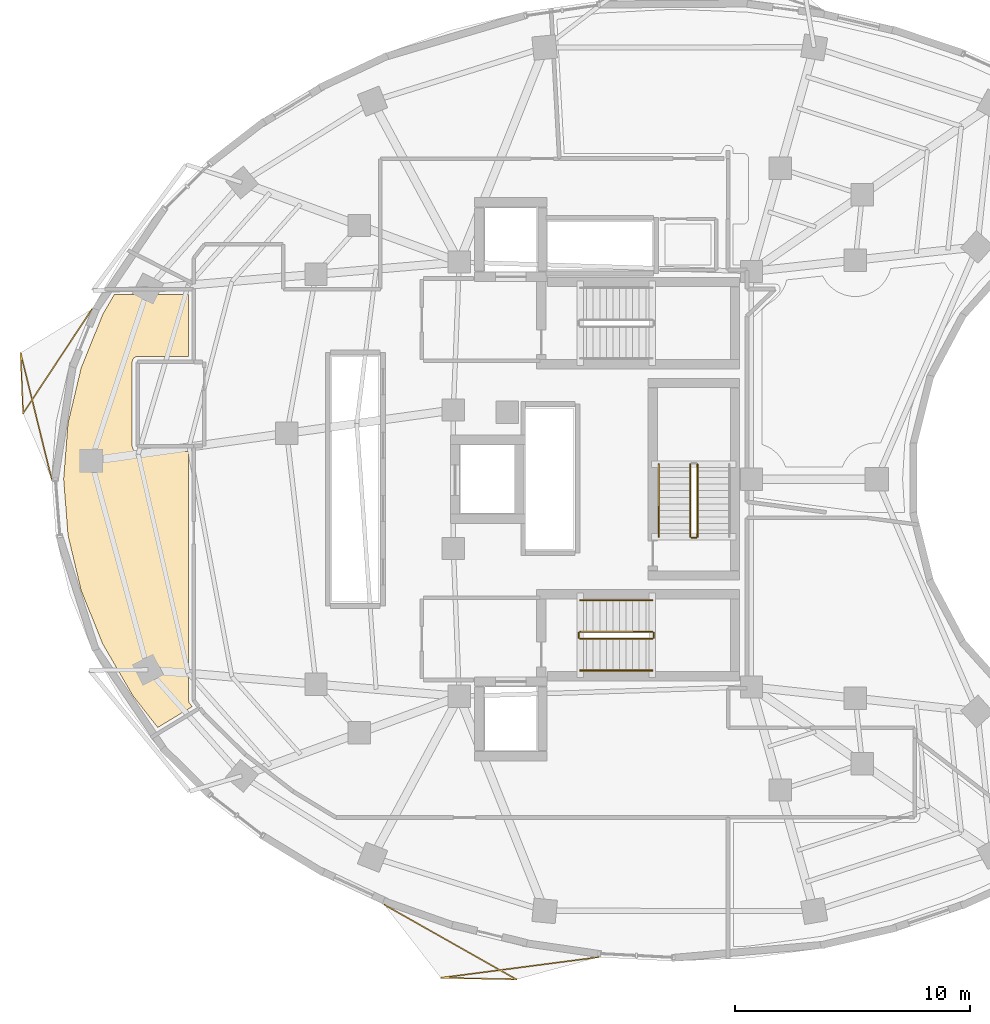
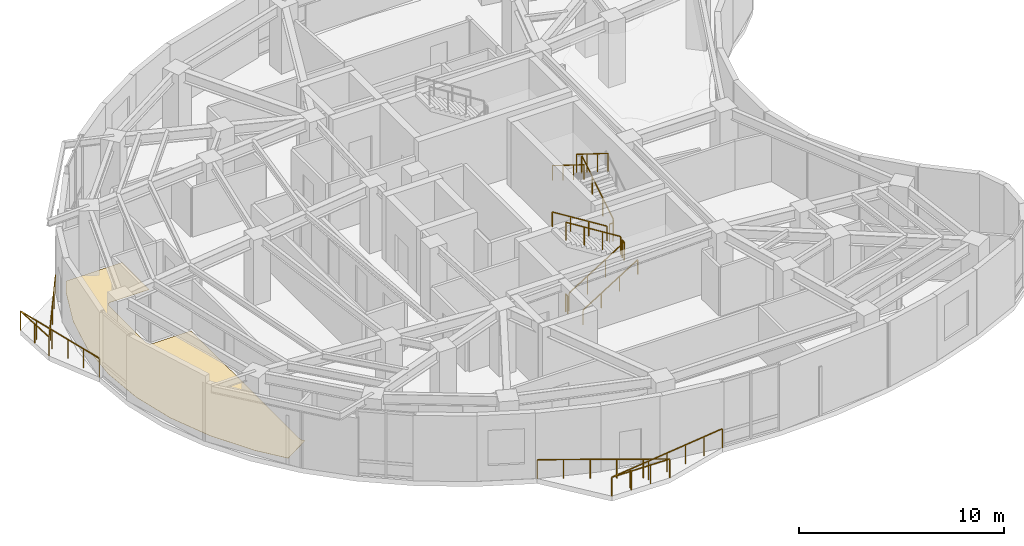
# One storey, part 10 of 12: 12 railings, 1 covering.
"""IFC4 building model written with IfcOpenShell, lengths in metres."""

from ifc_helpers import new_model, si_unit, direction, frame, origin, origin_2d, place, context, subcontext, project, spatial, polyline, rectangle, outline, extrude, material, layer, layer_set, type_object, element, save


model = new_model("IFC4")

# Units and contexts
model_context = context("Model", 3, precision=1e-05, world=origin(), true_north=direction((0.0, 1.0)))
body_context = subcontext(model_context, "Body", "Model", "MODEL_VIEW")
ifc_project = project(units=[si_unit("LENGTHUNIT", "METRE"), si_unit("AREAUNIT", "SQUARE_METRE"), si_unit("VOLUMEUNIT", "CUBIC_METRE"), si_unit("PLANEANGLEUNIT", "RADIAN"), si_unit("MASSUNIT", "GRAM", prefix="KILO")], contexts=[model_context])

# Site, building, storey
site_placement = place(None, origin())
site = spatial("IfcSite", under=ifc_project, at=site_placement, CompositionType="ELEMENT")
building_placement = place(site_placement, origin())
building = spatial("IfcBuilding", under=site, at=building_placement, Name="Korentha Bioscience Tower", CompositionType="ELEMENT")
storey_placement = place(building_placement, frame((0.0, 0.0, 179.39990234375)))
storey = spatial("IfcBuildingStorey", under=building, at=storey_placement, Name="L41", CompositionType="ELEMENT", Elevation=179.39990234375)

# Railings
ifc_material_1 = material(Name="Stainless Steel 304", Category="steel")
railing_type_1 = type_object("IfcRailingType", Name="Brushed Stainless Stair Handrail 900", PredefinedType="HANDRAIL", material=ifc_material_1)
railing_1_placement = place(storey_placement, frame((30.25, 18.85009765625, 0.175048828125)))
element("IfcRailing", 1, at=railing_1_placement, inside=storey, type_object=railing_type_1, Name="L41 ST-2 stair handrail 1", PredefinedType="HANDRAIL", context=body_context, shape_type="SweptSolid", body=[
    extrude(rectangle(XDim=0.048095703125, YDim=0.048095703125, at=origin_2d()), frame((0.0, 0.0, 0.8759765625), z_axis=(0.847998304005, 0.0, 0.529998940003), x_axis=(0.0, 1.0, 0.0)), (0.0, 0.0, 1.0), 3.632080078125),
    extrude(rectangle(XDim=0.0419921875, YDim=0.0419921875, at=origin_2d()), origin(), (0.0, 0.0, 1.0), 0.851806640625),
    extrude(rectangle(XDim=0.0419921875, YDim=0.0419921875, at=origin_2d()), frame((1.026611328125, 0.0, 0.6416015625)), (0.0, 0.0, 1.0), 0.851806640625),
    extrude(rectangle(XDim=0.0419921875, YDim=0.0419921875, at=origin_2d()), frame((2.053466796875, 0.0, 1.283447265625)), (0.0, 0.0, 1.0), 0.851806640625),
    extrude(rectangle(XDim=0.0419921875, YDim=0.0419921875, at=origin_2d()), frame((3.080078125, 0.0, 1.925048828125)), (0.0, 0.0, 1.0), 0.851806640625),
])
railing_2_placement = place(storey_placement, frame((33.330078125, 21.85009765625, 2.275146484375)))
element("IfcRailing", 2, at=railing_2_placement, inside=storey, type_object=railing_type_1, Name="L41 ST-2 stair handrail 2", PredefinedType="HANDRAIL", context=body_context, shape_type="SweptSolid", body=[
    extrude(rectangle(XDim=0.048095703125, YDim=0.048095703125, at=origin_2d()), frame((0.0, 0.0, 0.8759765625), z_axis=(-0.847998304005, 0.0, 0.529998940003), x_axis=(0.0, -1.0, 0.0)), (0.0, 0.0, 1.0), 3.632080078125),
    extrude(rectangle(XDim=0.0419921875, YDim=0.0419921875, at=origin_2d()), origin(), (0.0, 0.0, 1.0), 0.851806640625),
    extrude(rectangle(XDim=0.0419921875, YDim=0.0419921875, at=origin_2d()), frame((-1.026611328125, 0.0, 0.6416015625)), (0.0, 0.0, 1.0), 0.851806640625),
    extrude(rectangle(XDim=0.0419921875, YDim=0.0419921875, at=origin_2d()), frame((-2.053466796875, 0.0, 1.283447265625)), (0.0, 0.0, 1.0), 0.851806640625),
    extrude(rectangle(XDim=0.0419921875, YDim=0.0419921875, at=origin_2d()), frame((-3.080078125, 0.0, 1.925048828125)), (0.0, 0.0, 1.0), 0.851806640625),
])
railing_3_placement = place(storey_placement, frame((33.60009765625, 27.6298828125, 2.275146484375)))
element("IfcRailing", 3, at=railing_3_placement, inside=storey, type_object=railing_type_1, Name="L41 ST-3 stair handrail 2", PredefinedType="HANDRAIL", context=body_context, shape_type="SweptSolid", body=[
    extrude(rectangle(XDim=0.048095703125, YDim=0.048095703125, at=origin_2d()), frame((0.0, 0.0, 0.8759765625), z_axis=(0.0, -0.847979421464, 0.530029150871), x_axis=(1.0, 0.0, 0.0)), (0.0, 0.0, 1.0), 3.632080078125),
    extrude(rectangle(XDim=0.0419921875, YDim=0.0419921875, at=origin_2d()), origin(), (0.0, 0.0, 1.0), 0.851806640625),
    extrude(rectangle(XDim=0.0419921875, YDim=0.0419921875, at=origin_2d()), frame((0.0, -1.026611328125, 0.6416015625)), (0.0, 0.0, 1.0), 0.851806640625),
    extrude(rectangle(XDim=0.0419921875, YDim=0.0419921875, at=origin_2d()), frame((0.0, -2.05322265625, 1.283447265625)), (0.0, 0.0, 1.0), 0.851806640625),
    extrude(rectangle(XDim=0.0419921875, YDim=0.0419921875, at=origin_2d()), frame((0.0, -3.079833984375, 1.925048828125)), (0.0, 0.0, 1.0), 0.851806640625),
])
ifc_material_2 = material(Name="Laminated Tempered Safety Glass", Category="glass")
railing_type_2 = type_object("IfcRailingType", Name="Laminated Glass Balcony Guardrail 1150", PredefinedType="BALUSTRADE", material=ifc_material_2)
railing_4_placement = place(storey_placement, frame((9.454833984375, 34.246337890625, 0.0)))
element("IfcRailing", 4, at=railing_4_placement, inside=storey, type_object=railing_type_2, Name="L41 Balcony Guardrail 02", PredefinedType="BALUSTRADE", context=body_context, shape_type="SweptSolid", body=[
    extrude(rectangle(XDim=0.048095703125, YDim=0.048095703125, at=origin_2d()), frame((0.0, 0.0, 1.1259765625), z_axis=(-0.550932164864, -0.834550028289, 0.0), x_axis=(0.834550028289, -0.550932164864, 0.0)), (0.0, 0.0, 1.0), 5.3310546875),
    extrude(rectangle(XDim=0.048095703125, YDim=0.048095703125, at=origin_2d()), frame((-2.93701171875, -4.448974609375, 1.1259765625), z_axis=(-0.040615331827, 0.99917485698, 0.0), x_axis=(-0.99917485698, -0.040615331827, 0.0)), (0.0, 0.0, 1.0), 2.5908203125),
    extrude(rectangle(XDim=0.048095703125, YDim=0.048095703125, at=origin_2d()), frame((-3.042236328125, -1.8603515625, 1.1259765625), z_axis=(0.23862888536, -0.971110835627, 0.0), x_axis=(0.971110835627, 0.23862888536, 0.0)), (0.0, 0.0, 1.0), 5.546142578125),
    extrude(rectangle(XDim=0.0419921875, YDim=0.0419921875, at=origin_2d()), origin(), (0.0, 0.0, 1.0), 1.101806640625),
    extrude(rectangle(XDim=0.0419921875, YDim=0.0419921875, at=origin_2d()), frame((-0.734375, -1.1123046875, 0.0)), (0.0, 0.0, 1.0), 1.101806640625),
    extrude(rectangle(XDim=0.0419921875, YDim=0.0419921875, at=origin_2d()), frame((-1.468505859375, -2.224609375, 0.0)), (0.0, 0.0, 1.0), 1.101806640625),
    extrude(rectangle(XDim=0.0419921875, YDim=0.0419921875, at=origin_2d()), frame((-2.20263671875, -3.336669921875, 0.0)), (0.0, 0.0, 1.0), 1.101806640625),
    extrude(rectangle(XDim=0.0419921875, YDim=0.0419921875, at=origin_2d()), frame((-2.93701171875, -4.448974609375, 0.0)), (0.0, 0.0, 1.0), 1.101806640625),
    extrude(rectangle(XDim=0.0419921875, YDim=0.0419921875, at=origin_2d()), frame((-2.98974609375, -3.15478515625, 0.0)), (0.0, 0.0, 1.0), 1.101806640625),
    extrude(rectangle(XDim=0.0419921875, YDim=0.0419921875, at=origin_2d()), frame((-3.042236328125, -1.8603515625, 0.0)), (0.0, 0.0, 1.0), 1.101806640625),
    extrude(rectangle(XDim=0.0419921875, YDim=0.0419921875, at=origin_2d()), frame((-2.777587890625, -2.9375, 0.0)), (0.0, 0.0, 1.0), 1.101806640625),
    extrude(rectangle(XDim=0.0419921875, YDim=0.0419921875, at=origin_2d()), frame((-2.512939453125, -4.0146484375, 0.0)), (0.0, 0.0, 1.0), 1.101806640625),
    extrude(rectangle(XDim=0.0419921875, YDim=0.0419921875, at=origin_2d()), frame((-2.248046875, -5.092041015625, 0.0)), (0.0, 0.0, 1.0), 1.101806640625),
    extrude(rectangle(XDim=0.0419921875, YDim=0.0419921875, at=origin_2d()), frame((-1.9833984375, -6.169189453125, 0.0)), (0.0, 0.0, 1.0), 1.101806640625),
    extrude(rectangle(XDim=0.0419921875, YDim=0.0419921875, at=origin_2d()), frame((-1.71875, -7.246337890625, 0.0)), (0.0, 0.0, 1.0), 1.101806640625),
])
railing_5_placement = place(storey_placement, frame((21.907470703125, 8.871337890625, 0.0)))
element("IfcRailing", 5, at=railing_5_placement, inside=storey, type_object=railing_type_2, Name="L41 Balcony Guardrail 03", PredefinedType="BALUSTRADE", context=body_context, shape_type="SweptSolid", body=[
    extrude(rectangle(XDim=0.048095703125, YDim=0.048095703125, at=origin_2d()), frame((0.0, 0.0, 1.1259765625), z_axis=(0.870664024138, -0.491878193327, 0.0), x_axis=(0.491878193327, 0.870664024138, 0.0)), (0.0, 0.0, 1.0), 6.4697265625),
    extrude(rectangle(XDim=0.048095703125, YDim=0.048095703125, at=origin_2d()), frame((5.633056640625, -3.182373046875, 1.1259765625), z_axis=(-0.99977218626, 0.021344216559, 0.0), x_axis=(-0.021344216559, -0.99977218626, 0.0)), (0.0, 0.0, 1.0), 3.2255859375),
    extrude(rectangle(XDim=0.048095703125, YDim=0.048095703125, at=origin_2d()), frame((2.408203125, -3.113525390625, 1.1259765625), z_axis=(0.99157569469, 0.129528536236, 0.0), x_axis=(-0.129528536236, 0.99157569469, 0.0)), (0.0, 0.0, 1.0), 6.77978515625),
    extrude(rectangle(XDim=0.0419921875, YDim=0.0419921875, at=origin_2d()), origin(), (0.0, 0.0, 1.0), 1.101806640625),
    extrude(rectangle(XDim=0.0419921875, YDim=0.0419921875, at=origin_2d()), frame((1.126708984375, -0.636474609375, 0.0)), (0.0, 0.0, 1.0), 1.101806640625),
    extrude(rectangle(XDim=0.0419921875, YDim=0.0419921875, at=origin_2d()), frame((2.253173828125, -1.27294921875, 0.0)), (0.0, 0.0, 1.0), 1.101806640625),
    extrude(rectangle(XDim=0.0419921875, YDim=0.0419921875, at=origin_2d()), frame((3.3798828125, -1.909423828125, 0.0)), (0.0, 0.0, 1.0), 1.101806640625),
    extrude(rectangle(XDim=0.0419921875, YDim=0.0419921875, at=origin_2d()), frame((4.50634765625, -2.5458984375, 0.0)), (0.0, 0.0, 1.0), 1.101806640625),
    extrude(rectangle(XDim=0.0419921875, YDim=0.0419921875, at=origin_2d()), frame((5.633056640625, -3.182373046875, 0.0)), (0.0, 0.0, 1.0), 1.101806640625),
    extrude(rectangle(XDim=0.0419921875, YDim=0.0419921875, at=origin_2d()), frame((4.55810546875, -3.159423828125, 0.0)), (0.0, 0.0, 1.0), 1.101806640625),
    extrude(rectangle(XDim=0.0419921875, YDim=0.0419921875, at=origin_2d()), frame((3.483154296875, -3.136474609375, 0.0)), (0.0, 0.0, 1.0), 1.101806640625),
    extrude(rectangle(XDim=0.0419921875, YDim=0.0419921875, at=origin_2d()), frame((2.408203125, -3.113525390625, 0.0)), (0.0, 0.0, 1.0), 1.101806640625),
    extrude(rectangle(XDim=0.0419921875, YDim=0.0419921875, at=origin_2d()), frame((3.528564453125, -2.96728515625, 0.0)), (0.0, 0.0, 1.0), 1.101806640625),
    extrude(rectangle(XDim=0.0419921875, YDim=0.0419921875, at=origin_2d()), frame((4.649169921875, -2.82080078125, 0.0)), (0.0, 0.0, 1.0), 1.101806640625),
    extrude(rectangle(XDim=0.0419921875, YDim=0.0419921875, at=origin_2d()), frame((5.76953125, -2.67431640625, 0.0)), (0.0, 0.0, 1.0), 1.101806640625),
    extrude(rectangle(XDim=0.0419921875, YDim=0.0419921875, at=origin_2d()), frame((6.889892578125, -2.528076171875, 0.0)), (0.0, 0.0, 1.0), 1.101806640625),
    extrude(rectangle(XDim=0.0419921875, YDim=0.0419921875, at=origin_2d()), frame((8.010498046875, -2.3818359375, 0.0)), (0.0, 0.0, 1.0), 1.101806640625),
    extrude(rectangle(XDim=0.0419921875, YDim=0.0419921875, at=origin_2d()), frame((9.130859375, -2.2353515625, 0.0)), (0.0, 0.0, 1.0), 1.101806640625),
])
ifc_material_3 = material(Name="Painted Steel S275", Category="steel")
railing_type_3 = type_object("IfcRailingType", Name="Painted Steel Stair Well Guardrail 1100", PredefinedType="GUARDRAIL", material=ifc_material_3)
railing_6_placement = place(storey_placement, frame((30.25, 20.199951171875, 0.175048828125)))
element("IfcRailing", 6, at=railing_6_placement, inside=storey, type_object=railing_type_3, Name="L41 ST-2 stair guard 1", PredefinedType="GUARDRAIL", context=body_context, shape_type="SweptSolid", body=[
    extrude(rectangle(XDim=0.048095703125, YDim=0.048095703125, at=origin_2d()), frame((0.0, 0.0, 1.076171875), z_axis=(0.847998304005, 0.0, 0.529998940003), x_axis=(0.0, 1.0, 0.0)), (0.0, 0.0, 1.0), 3.632080078125),
    extrude(rectangle(XDim=0.0419921875, YDim=0.0419921875, at=origin_2d()), origin(), (0.0, 0.0, 1.0), 1.052001953125),
    extrude(rectangle(XDim=0.0419921875, YDim=0.0419921875, at=origin_2d()), frame((1.026611328125, 0.0, 0.6416015625)), (0.0, 0.0, 1.0), 1.052001953125),
    extrude(rectangle(XDim=0.0419921875, YDim=0.0419921875, at=origin_2d()), frame((2.053466796875, 0.0, 1.283447265625)), (0.0, 0.0, 1.0), 1.052001953125),
    extrude(rectangle(XDim=0.0419921875, YDim=0.0419921875, at=origin_2d()), frame((3.080078125, 0.0, 1.925048828125)), (0.0, 0.0, 1.0), 1.052001953125),
])
railing_7_placement = place(storey_placement, frame((33.3798828125, 20.25, 2.10009765625)))
element("IfcRailing", 7, at=railing_7_placement, inside=storey, type_object=railing_type_3, Name="L41 ST-2 stair guard 2", PredefinedType="GUARDRAIL", context=body_context, shape_type="SweptSolid", body=[
    extrude(rectangle(XDim=0.048095703125, YDim=0.048095703125, at=origin_2d()), frame((0.0, 0.0, 1.076171875), z_axis=(0.0, 1.0, 0.0), x_axis=(-1.0, 0.0, 0.0)), (0.0, 0.0, 1.0), 0.199951171875),
    extrude(rectangle(XDim=0.0419921875, YDim=0.0419921875, at=origin_2d()), origin(), (0.0, 0.0, 1.0), 1.052001953125),
    extrude(rectangle(XDim=0.0419921875, YDim=0.0419921875, at=origin_2d()), frame((0.0, 0.199951171875, 0.0)), (0.0, 0.0, 1.0), 1.052001953125),
])
railing_8_placement = place(storey_placement, frame((33.330078125, 20.5, 2.275146484375)))
element("IfcRailing", 8, at=railing_8_placement, inside=storey, type_object=railing_type_3, Name="L41 ST-2 stair guard 3", PredefinedType="GUARDRAIL", context=body_context, shape_type="SweptSolid", body=[
    extrude(rectangle(XDim=0.048095703125, YDim=0.048095703125, at=origin_2d()), frame((0.0, 0.0, 1.076171875), z_axis=(-0.847998304005, 0.0, 0.529998940003), x_axis=(0.0, -1.0, 0.0)), (0.0, 0.0, 1.0), 3.632080078125),
    extrude(rectangle(XDim=0.0419921875, YDim=0.0419921875, at=origin_2d()), origin(), (0.0, 0.0, 1.0), 1.052001953125),
    extrude(rectangle(XDim=0.0419921875, YDim=0.0419921875, at=origin_2d()), frame((-1.026611328125, 0.0, 0.6416015625)), (0.0, 0.0, 1.0), 1.052001953125),
    extrude(rectangle(XDim=0.0419921875, YDim=0.0419921875, at=origin_2d()), frame((-2.053466796875, 0.0, 1.283447265625)), (0.0, 0.0, 1.0), 1.052001953125),
    extrude(rectangle(XDim=0.0419921875, YDim=0.0419921875, at=origin_2d()), frame((-3.080078125, 0.0, 1.925048828125)), (0.0, 0.0, 1.0), 1.052001953125),
])
railing_9_placement = place(storey_placement, frame((30.199951171875, 20.25, 0.0)))
element("IfcRailing", 9, at=railing_9_placement, inside=storey, type_object=railing_type_3, Name="L41 ST-2 stair guard 4", PredefinedType="GUARDRAIL", context=body_context, shape_type="SweptSolid", body=[
    extrude(rectangle(XDim=0.048095703125, YDim=0.048095703125, at=origin_2d()), frame((0.0, 0.0, 1.076171875), z_axis=(0.0, 1.0, 0.0), x_axis=(-1.0, 0.0, 0.0)), (0.0, 0.0, 1.0), 0.199951171875),
    extrude(rectangle(XDim=0.0419921875, YDim=0.0419921875, at=origin_2d()), origin(), (0.0, 0.0, 1.0), 1.052001953125),
    extrude(rectangle(XDim=0.0419921875, YDim=0.0419921875, at=origin_2d()), frame((0.0, 0.199951171875, 0.0)), (0.0, 0.0, 1.0), 1.052001953125),
])
railing_10_placement = place(storey_placement, frame((35.25, 24.550048828125, 0.175048828125)))
element("IfcRailing", 10, at=railing_10_placement, inside=storey, type_object=railing_type_3, Name="L41 ST-3 stair guard 1", PredefinedType="GUARDRAIL", context=body_context, shape_type="SweptSolid", body=[
    extrude(rectangle(XDim=0.048095703125, YDim=0.048095703125, at=origin_2d()), frame((0.0, 0.0, 1.076171875), z_axis=(0.0, 0.847979421464, 0.530029150871), x_axis=(-1.0, 0.0, 0.0)), (0.0, 0.0, 1.0), 3.632080078125),
    extrude(rectangle(XDim=0.0419921875, YDim=0.0419921875, at=origin_2d()), origin(), (0.0, 0.0, 1.0), 1.052001953125),
    extrude(rectangle(XDim=0.0419921875, YDim=0.0419921875, at=origin_2d()), frame((0.0, 1.026611328125, 0.6416015625)), (0.0, 0.0, 1.0), 1.052001953125),
    extrude(rectangle(XDim=0.0419921875, YDim=0.0419921875, at=origin_2d()), frame((0.0, 2.05322265625, 1.283447265625)), (0.0, 0.0, 1.0), 1.052001953125),
    extrude(rectangle(XDim=0.0419921875, YDim=0.0419921875, at=origin_2d()), frame((0.0, 3.079833984375, 1.925048828125)), (0.0, 0.0, 1.0), 1.052001953125),
])
railing_11_placement = place(storey_placement, frame((34.949951171875, 27.6298828125, 2.275146484375)))
element("IfcRailing", 11, at=railing_11_placement, inside=storey, type_object=railing_type_3, Name="L41 ST-3 stair guard 3", PredefinedType="GUARDRAIL", context=body_context, shape_type="SweptSolid", body=[
    extrude(rectangle(XDim=0.048095703125, YDim=0.048095703125, at=origin_2d()), frame((0.0, 0.0, 1.076171875), z_axis=(0.0, -0.847979421464, 0.530029150871), x_axis=(1.0, 0.0, 0.0)), (0.0, 0.0, 1.0), 3.632080078125),
    extrude(rectangle(XDim=0.0419921875, YDim=0.0419921875, at=origin_2d()), origin(), (0.0, 0.0, 1.0), 1.052001953125),
    extrude(rectangle(XDim=0.0419921875, YDim=0.0419921875, at=origin_2d()), frame((0.0, -1.026611328125, 0.6416015625)), (0.0, 0.0, 1.0), 1.052001953125),
    extrude(rectangle(XDim=0.0419921875, YDim=0.0419921875, at=origin_2d()), frame((0.0, -2.05322265625, 1.283447265625)), (0.0, 0.0, 1.0), 1.052001953125),
    extrude(rectangle(XDim=0.0419921875, YDim=0.0419921875, at=origin_2d()), frame((0.0, -3.079833984375, 1.925048828125)), (0.0, 0.0, 1.0), 1.052001953125),
])
railing_12_placement = place(storey_placement, frame((35.199951171875, 24.5, 0.0)))
element("IfcRailing", 12, at=railing_12_placement, inside=storey, type_object=railing_type_3, Name="L41 ST-3 stair guard 4", PredefinedType="GUARDRAIL", context=body_context, shape_type="SweptSolid", body=[
    extrude(rectangle(XDim=0.048095703125, YDim=0.048095703125, at=origin_2d()), frame((0.0, 0.0, 1.076171875), z_axis=(-1.0, 0.0, 0.0), x_axis=(0.0, -1.0, 0.0)), (0.0, 0.0, 1.0), 0.199951171875),
    extrude(rectangle(XDim=0.0419921875, YDim=0.0419921875, at=origin_2d()), origin(), (0.0, 0.0, 1.0), 1.052001953125),
    extrude(rectangle(XDim=0.0419921875, YDim=0.0419921875, at=origin_2d()), frame((-0.199951171875, 0.0, 0.0)), (0.0, 0.0, 1.0), 1.052001953125),
])

# Covering
ifc_material_4 = material(Name="Chemical-Resistant Epoxy Resin", Category="polymer")
ifc_layer = layer(ifc_material_4, 0.011962890625, Name="Chemical-Resistant Epoxy Resin")
ifc_layer_set = layer_set([ifc_layer], Name="Chemical-Resistant Epoxy Resin (FL-EPX)")
covering_type = type_object("IfcCoveringType", Name="Seamless Epoxy Laboratory Flooring 12", PredefinedType="FLOORING", material=ifc_layer_set)
covering_placement = place(storey_placement, origin())
element("IfcCovering", 13, at=covering_placement, inside=storey, type_object=covering_type, Name="L41 Staff Pantry Kitchenette 01 Floor Finish", PredefinedType="FLOORING", context=body_context, shape_type="SweptSolid", body=[
    extrude(outline(polyline([(8.43408203125, 29.38330078125), (8.991943359375, 31.734619140625), (9.9140625, 34.021484375), (10.41259765625, 34.8779296875), (13.570068359375, 34.8779296875), (13.570068359375, 32.22998046875), (11.38818359375, 32.229736328125), (11.302001953125, 32.2080078125), (11.2451171875, 32.170166015625), (11.19189453125, 32.097900390625), (11.17041015625, 32.01171875), (11.169921875, 28.39990234375), (11.202880859375, 28.28125), (11.2822265625, 28.202392578125), (11.38916015625, 28.17041015625), (13.570068359375, 28.169921875), (13.570068359375, 17.58251953125), (13.600341796875, 17.468505859375), (13.720458984375, 17.310791015625), (12.2568359375, 16.4228515625), (11.189453125, 17.788330078125), (9.914306640625, 19.978271484375), (8.991943359375, 22.26513671875), (8.43408203125, 24.616455078125), (8.24755859375, 27.0), (8.43408203125, 29.38330078125)])), origin(), (0.0, 0.0, 1.0), 0.01220703125),
])

save(model, "model.ifc")
